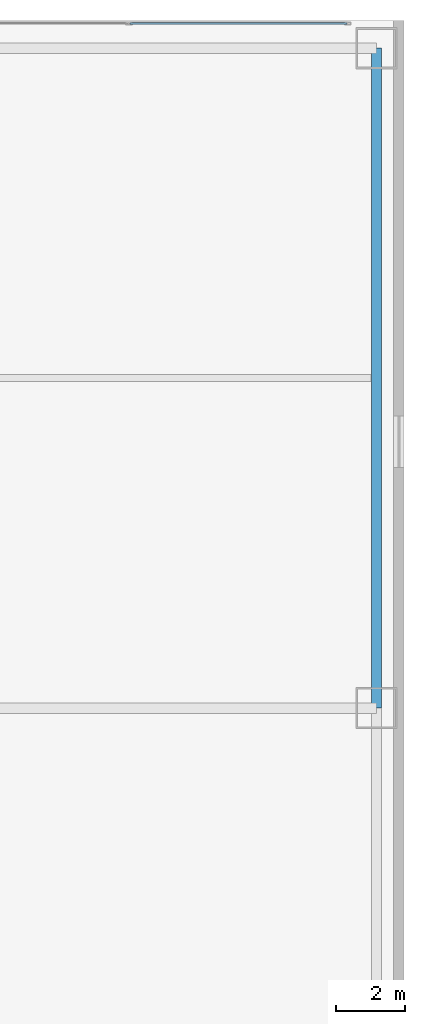
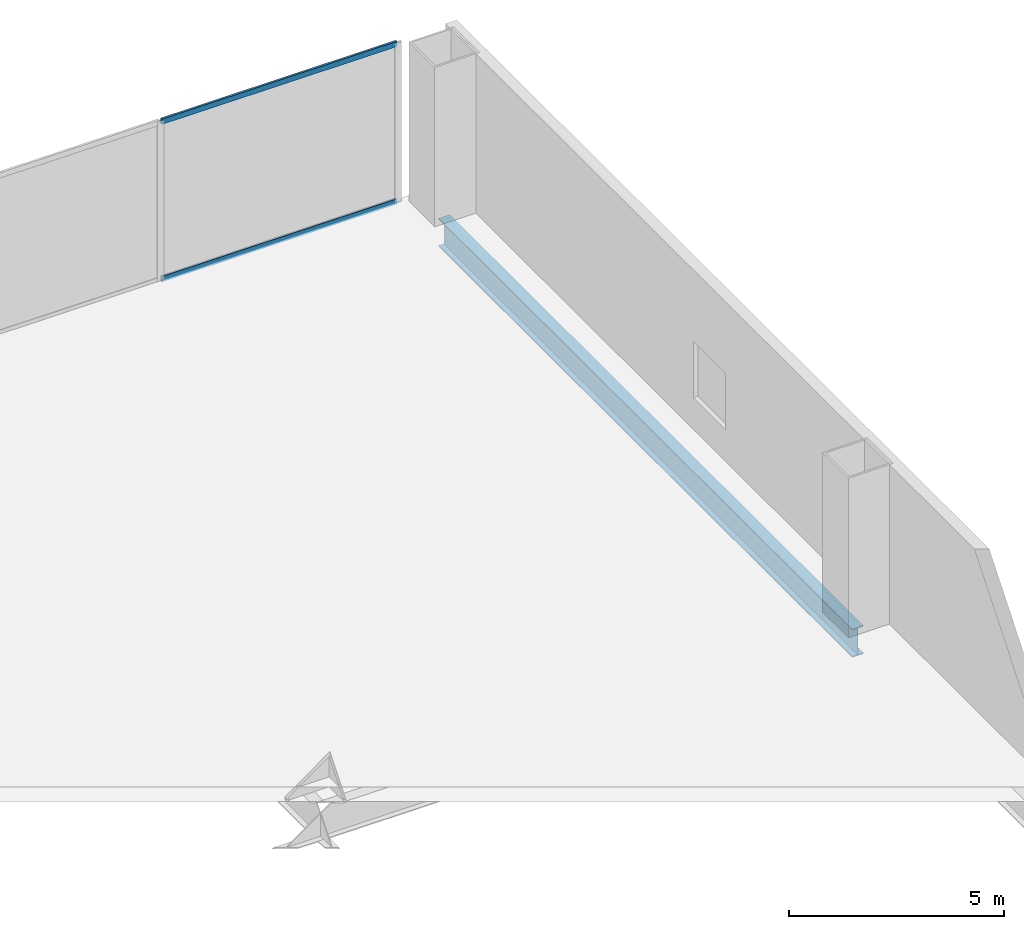
# One storey, part 30 of 40: 2 members, 1 beam, 1 element without a shape of its own.
"""IFC4 building model written with IfcOpenShell, lengths in metres."""

from ifc_helpers import new_model, si_unit, direction, frame, origin, origin_2d, place, context, subcontext, project, spatial, hollow_rectangle, i_section, extrude, source, transform, mapped, material, layer, layer_set, material_profile, profile_set, type_object, element, aggregate, save


model = new_model("IFC4")

# Units and contexts
model_context = context("Model", 3, precision=1e-05, world=origin(), true_north=direction((0.0, 1.0)))
body_context = subcontext(model_context, "Body", "Model", "MODEL_VIEW")
ifc_project = project(units=[si_unit("LENGTHUNIT", "METRE"), si_unit("AREAUNIT", "SQUARE_METRE"), si_unit("VOLUMEUNIT", "CUBIC_METRE"), si_unit("PLANEANGLEUNIT", "RADIAN"), si_unit("MASSUNIT", "GRAM", prefix="KILO"), si_unit("THERMODYNAMICTEMPERATUREUNIT", "KELVIN"), si_unit("POWERUNIT", "WATT")], contexts=[model_context])

# Site, building, storey
site_placement = place(None, origin())
site = spatial("IfcSite", under=ifc_project, at=site_placement, CompositionType="ELEMENT")
building_placement = place(site_placement, origin())
building = spatial("IfcBuilding", under=site, at=building_placement, Name="Yunzhuo Pagoda Commons", CompositionType="ELEMENT")
storey_placement = place(building_placement, frame((0.0, 0.0, 14.39990234375)))
storey = spatial("IfcBuildingStorey", under=building, at=storey_placement, Name="L04", CompositionType="ELEMENT", Elevation=14.39990234375)

# Beam
ifc_material_1 = material(Name="Structural steel Q355B", Category="steel")
ifc_material_profile_1 = material_profile(ifc_material_1, i_section(OverallWidth=0.300048828125, OverallDepth=0.800048828125, WebThickness=0.013916015625, FlangeThickness=0.02587890625, at=origin_2d()), Name="Structural steel Q355B")
ifc_profile_set_1 = profile_set([ifc_material_profile_1], Name="Structural steel Q355B")
beam_type = type_object("IfcBeamType", Name="B-PD2 Beam HN 800x300x14x26", PredefinedType="BEAM", material=ifc_profile_set_1)
shared_shape_1 = source(origin(), body_context, "Body", "SweptSolid", [
    extrude(i_section(OverallWidth=0.300048828125, OverallDepth=0.800048828125, WebThickness=0.013916015625, FlangeThickness=0.02587890625, at=origin_2d()), origin(), (0.0, 0.0, 1.0), 19.199951171875),
])
beam_placement = place(storey_placement, frame((91.199951171875, 62.0, -0.679931640625), z_axis=(0.0, 1.0, 0.0), x_axis=(-1.0, 0.0, 0.0)))
element("IfcBeam", 1, at=beam_placement, inside=storey, type_object=beam_type, Name="L04 podium girder NS 6.4", PredefinedType="BEAM", context=body_context, shape_type="MappedRepresentation", body=[
    mapped(shared_shape_1, transform((0.0, 0.0, 0.0), scale=1.0)),
])

# Curtain wall, members
ifc_material_2 = material(Name="Anodized aluminium 6063-T6", Category="aluminium")
ifc_layer = layer(ifc_material_2, 0.179931640625)
ifc_layer_set = layer_set([ifc_layer], Name="Anodized aluminium 6063-T6")
curtain_wall_type = type_object("IfcCurtainWallType", Name="CW-POD Waterfront Podium Curtain Wall", PredefinedType="NOTDEFINED", material=ifc_layer_set)
curtain_wall_placement = place(storey_placement, origin())
curtain_wall = element("IfcCurtainWall", 2, at=curtain_wall_placement, inside=storey, type_object=curtain_wall_type, Name="L04 curtain wall CW-L04-N5", PredefinedType="NOTDEFINED")
ifc_material_profile_2 = material_profile(ifc_material_2, hollow_rectangle(XDim=0.06005859375, YDim=0.14990234375, WallThickness=0.00390625, at=origin_2d()), Name="Anodized aluminium 6063-T6")
ifc_profile_set_2 = profile_set([ifc_material_profile_2], Name="Anodized aluminium 6063-T6")
member_type = type_object("IfcMemberType", Name="CW-POD-T Transom RHS 150x60x4", PredefinedType="USERDEFINED", material=ifc_profile_set_2)
shared_shape_2 = source(origin(), body_context, "Body", "SweptSolid", [
    extrude(hollow_rectangle(XDim=0.06005859375, YDim=0.14990234375, WallThickness=0.00390625, at=origin_2d()), origin(), (0.0, 0.0, 1.0), 6.302490234375),
])
member_1_placement = place(storey_placement, frame((84.032470703125, 81.919921875, 0.030029296875), z_axis=(1.0, 0.0, 0.0), x_axis=(0.0, 1.0, 0.0)))
member_1 = element("IfcMember", 3, at=member_1_placement, type_object=member_type, Name="CW transom 2.1", ObjectType="TRANSOM", PredefinedType="USERDEFINED", context=body_context, shape_type="MappedRepresentation", body=[
    mapped(shared_shape_2, transform((0.0, 0.0, 0.0), scale=1.0)),
])
member_2_placement = place(storey_placement, frame((84.032470703125, 81.919921875, 4.489990234375), z_axis=(1.0, 0.0, 0.0), x_axis=(0.0, 1.0, 0.0)))
member_2 = element("IfcMember", 4, at=member_2_placement, type_object=member_type, Name="CW transom 2.2", ObjectType="TRANSOM", PredefinedType="USERDEFINED", context=body_context, shape_type="MappedRepresentation", body=[
    mapped(shared_shape_2, transform((0.0, 0.0, 0.0), scale=1.0)),
])
aggregate(curtain_wall, [member_1, member_2])

save(model, "model.ifc")
